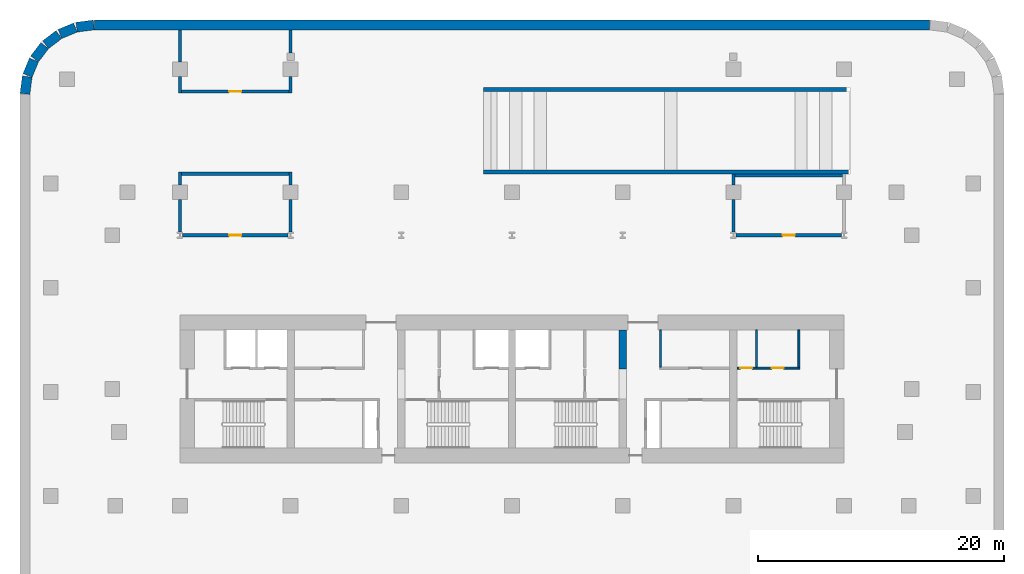
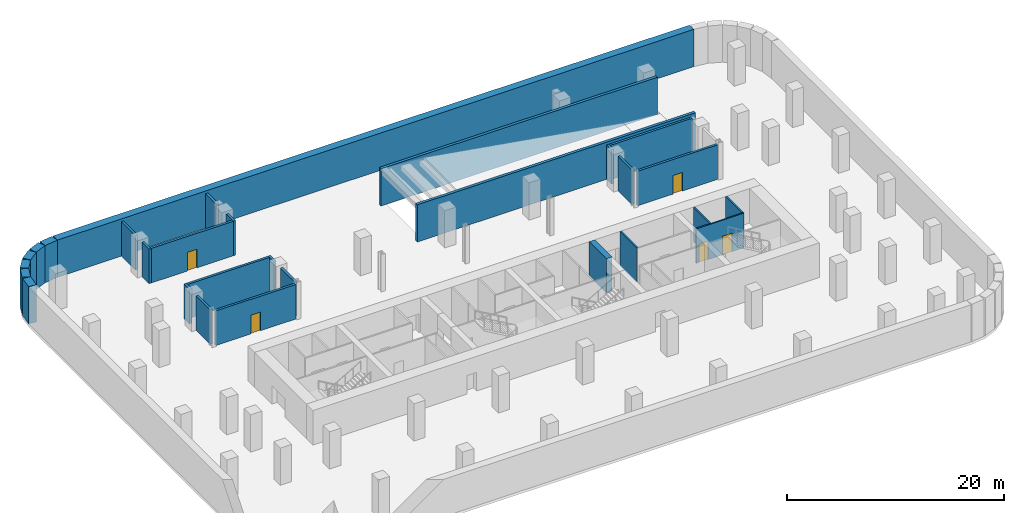
# One storey, part 3 of 5: 29 walls, 5 doors, 5 openings.
"""IFC4 building model written with IfcOpenShell, lengths in metres."""

from ifc_helpers import new_model, si_unit, direction, frame, frame_2d, origin, place, context, subcontext, project, spatial, rectangle, extrude, material, layer, layer_set, type_object, element, fill, save


model = new_model("IFC4")

# Units and contexts
model_context = context("Model", 3, precision=1e-05, world=origin(), true_north=direction((0.0, 1.0)))
body_context = subcontext(model_context, "Body", "Model", "MODEL_VIEW")
ifc_project = project(units=[si_unit("LENGTHUNIT", "METRE"), si_unit("AREAUNIT", "SQUARE_METRE"), si_unit("VOLUMEUNIT", "CUBIC_METRE"), si_unit("PLANEANGLEUNIT", "RADIAN"), si_unit("MASSUNIT", "GRAM", prefix="KILO")], contexts=[model_context])

# Site, building, storey
site_placement = place(None, origin())
site = spatial("IfcSite", under=ifc_project, at=site_placement, CompositionType="ELEMENT")
building_placement = place(site_placement, origin())
building = spatial("IfcBuilding", under=site, at=building_placement, Name="Zellij Exchange Tower", CompositionType="ELEMENT")
storey_placement = place(building_placement, frame((0.0, 0.0, -8.39990234375)))
storey = spatial("IfcBuildingStorey", under=building, at=storey_placement, Name="B2", CompositionType="ELEMENT", Elevation=-8.39990234375)

# Walls
ifc_material_1 = material(Name="Concrete C40/50", Category="concrete")
ifc_layer_1 = layer(ifc_material_1, 0.300048828125)
ifc_layer_set_1 = layer_set([ifc_layer_1], Name="Concrete C40/50")
wall_type_1 = type_object("IfcWallType", Name="BSM-Ramp wall 300", PredefinedType="SOLIDWALL", material=ifc_layer_set_1)
wall_1_placement = place(storey_placement, frame((-2.304931640625, 9.64990234375, 0.0), z_axis=(0.0, 0.0, 1.0), x_axis=(1.0, 0.0, 0.0)))
element("IfcWall", 1, at=wall_1_placement, inside=storey, type_object=wall_type_1, Name="Car park ramp side wall", PredefinedType="SOLIDWALL", context=body_context, shape_type="SweptSolid", body=[
    extrude(rectangle(XDim=29.679931640625, YDim=0.300048828125, at=frame_2d((14.83984375, 0.0))), origin(), (0.0, 0.0, 1.0), 4.199951171875),
])
wall_2_placement = place(storey_placement, frame((-2.304931640625, 16.35009765625, 0.0), z_axis=(0.0, 0.0, 1.0), x_axis=(1.0, 0.0, 0.0)))
element("IfcWall", 2, at=wall_2_placement, inside=storey, type_object=wall_type_1, Name="Car park ramp side wall", PredefinedType="SOLIDWALL", context=body_context, shape_type="SweptSolid", body=[
    extrude(rectangle(XDim=29.5048828125, YDim=0.300048828125, at=frame_2d((14.75244140625, 0.0))), origin(), (0.0, 0.0, 1.0), 4.199951171875),
])

# Wall, opening, door
ifc_material_2 = material(Name="Concrete C32/40", Category="concrete")
ifc_layer_2 = layer(ifc_material_2, 0.25)
ifc_layer_set_2 = layer_set([ifc_layer_2], Name="Concrete C32/40")
wall_type_2 = type_object("IfcWallType", Name="BSM-Wall 250", PredefinedType="SOLIDWALL", material=ifc_layer_set_2)
wall_3_placement = place(storey_placement, frame((-26.772705078125, 4.5, 0.0), z_axis=(0.0, 0.0, 1.0), x_axis=(1.0, 0.0, 0.0)))
wall_3 = element("IfcWall", 3, at=wall_3_placement, inside=storey, type_object=wall_type_2, Name="Partition 1", PredefinedType="SOLIDWALL", context=body_context, shape_type="SweptSolid", body=[
    extrude(rectangle(XDim=8.54541015625, YDim=0.25, at=frame_2d((4.272705078125, 0.0))), origin(), (0.0, 0.0, 1.0), 3.89990234375),
])
opening_1_placement = place(wall_3_placement, frame((3.772705078125, 0.0, 0.0)))
opening_1 = element("IfcOpeningElement", 4, at=opening_1_placement, cuts=wall_3, Name="Opening BS2.01", PredefinedType="OPENING", context=body_context, shape_type="SweptSolid", body=[
    extrude(rectangle(XDim=1.0, YDim=2.10009765625, at=frame_2d((0.5, 1.050048828125))), frame((0.0, 0.136962890625, 0.0), z_axis=(0.0, -1.0, 0.0), x_axis=(1.0, 0.0, 0.0)), (0.0, 0.0, 1.0), 0.27392578125),
])
ifc_material_3 = material(Name="Painted steel door leaf", Category="steel")
door_type_1 = type_object("IfcDoorType", Name="BSM-Door 1000x2100 FD90", OperationType="SINGLE_SWING_LEFT", PredefinedType="DOOR", material=ifc_material_3)
door_1_placement = place(opening_1_placement, origin())
door_1 = element("IfcDoor", 5, at=door_1_placement, inside=storey, type_object=door_type_1, Name="bsm.B2.door.BS2.01", OperationType="SINGLE_SWING_LEFT", OverallHeight=2.10009765625, OverallWidth=1.0, PredefinedType="DOOR", context=body_context, shape_type="SweptSolid", body=[
    extrude(rectangle(XDim=1.0, YDim=2.10009765625, at=frame_2d((0.5, 1.050048828125))), frame((0.0, 0.02490234375, 0.0), z_axis=(0.0, -1.0, 0.0), x_axis=(1.0, 0.0, 0.0)), (0.0, 0.0, 1.0), 0.050048828125),
])
fill(opening_1, door_1)

wall_4_placement = place(storey_placement, frame((18.227294921875, 4.5, 0.0), z_axis=(0.0, 0.0, 1.0), x_axis=(1.0, 0.0, 0.0)))
wall_4 = element("IfcWall", 6, at=wall_4_placement, inside=storey, type_object=wall_type_2, Name="Partition 2", PredefinedType="SOLIDWALL", context=body_context, shape_type="SweptSolid", body=[
    extrude(rectangle(XDim=8.54541015625, YDim=0.25, at=frame_2d((4.272705078125, 0.0))), origin(), (0.0, 0.0, 1.0), 3.89990234375),
])
opening_2_placement = place(wall_4_placement, frame((3.772705078125, 0.0, 0.0)))
opening_2 = element("IfcOpeningElement", 7, at=opening_2_placement, cuts=wall_4, Name="Opening BS2.02", PredefinedType="OPENING", context=body_context, shape_type="SweptSolid", body=[
    extrude(rectangle(XDim=1.0, YDim=2.10009765625, at=frame_2d((0.5, 1.050048828125))), frame((0.0, 0.136962890625, 0.0), z_axis=(0.0, -1.0, 0.0), x_axis=(1.0, 0.0, 0.0)), (0.0, 0.0, 1.0), 0.27392578125),
])
door_2_placement = place(opening_2_placement, origin())
door_2 = element("IfcDoor", 8, at=door_2_placement, inside=storey, type_object=door_type_1, Name="bsm.B2.door.BS2.02", OperationType="SINGLE_SWING_LEFT", OverallHeight=2.10009765625, OverallWidth=1.0, PredefinedType="DOOR", context=body_context, shape_type="SweptSolid", body=[
    extrude(rectangle(XDim=1.0, YDim=2.10009765625, at=frame_2d((0.5, 1.050048828125))), frame((0.0, 0.02490234375, 0.0), z_axis=(0.0, -1.0, 0.0), x_axis=(1.0, 0.0, 0.0)), (0.0, 0.0, 1.0), 0.050048828125),
])
fill(opening_2, door_2)

# Walls
for number, where, z_axis, x_axis, name in (
    (9, (18.125, 9.375, 0.0), (0.0, 0.0, 1.0), (1.0, 0.0, 0.0), "Partition 3"),
    (10, (-26.875, 9.5, 0.0), (0.0, 0.0, 1.0), (1.0, 0.0, 0.0), "Partition 4"),
):
    element("IfcWall", number, at=place(storey_placement, frame(where, z_axis=z_axis, x_axis=x_axis)), inside=storey, type_object=wall_type_2, Name=name, PredefinedType="SOLIDWALL", context=body_context, shape_type="SweptSolid", body=[
        extrude(rectangle(XDim=8.75, YDim=0.25, at=frame_2d((4.375, 0.0))), origin(), (0.0, 0.0, 1.0), 3.89990234375),
    ])

# Wall, opening, door
wall_5_placement = place(storey_placement, frame((-26.875, 16.199951171875, 0.0), z_axis=(0.0, 0.0, 1.0), x_axis=(1.0, 0.0, 0.0)))
wall_5 = element("IfcWall", 11, at=wall_5_placement, inside=storey, type_object=wall_type_2, Name="Partition 5", PredefinedType="SOLIDWALL", context=body_context, shape_type="SweptSolid", body=[
    extrude(rectangle(XDim=8.75, YDim=0.25, at=frame_2d((4.375, 0.0))), origin(), (0.0, 0.0, 1.0), 3.89990234375),
])
opening_3_placement = place(wall_5_placement, frame((3.875, 0.0, 0.0)))
opening_3 = element("IfcOpeningElement", 12, at=opening_3_placement, cuts=wall_5, Name="Opening BS2.03", PredefinedType="OPENING", context=body_context, shape_type="SweptSolid", body=[
    extrude(rectangle(XDim=1.0, YDim=2.10009765625, at=frame_2d((0.5, 1.050048828125))), frame((0.0, 0.136962890625, 0.0), z_axis=(0.0, -1.0, 0.0), x_axis=(1.0, 0.0, 0.0)), (0.0, 0.0, 1.0), 0.27392578125),
])
door_3_placement = place(opening_3_placement, origin())
door_3 = element("IfcDoor", 13, at=door_3_placement, inside=storey, type_object=door_type_1, Name="bsm.B2.door.BS2.03", OperationType="SINGLE_SWING_LEFT", OverallHeight=2.10009765625, OverallWidth=1.0, PredefinedType="DOOR", context=body_context, shape_type="SweptSolid", body=[
    extrude(rectangle(XDim=1.0, YDim=2.10009765625, at=frame_2d((0.5, 1.050048828125))), frame((0.0, 0.02490234375, 0.0), z_axis=(0.0, -1.0, 0.0), x_axis=(1.0, 0.0, 0.0)), (0.0, 0.0, 1.0), 0.050048828125),
])
fill(opening_3, door_3)

# Walls
wall_6_placement = place(storey_placement, frame((-27.0, 4.784423828125, 0.0), z_axis=(0.0, 0.0, 1.0), x_axis=(0.0, 1.0, 0.0)))
element("IfcWall", 14, at=wall_6_placement, inside=storey, type_object=wall_type_2, Name="Partition 6", PredefinedType="SOLIDWALL", context=body_context, shape_type="SweptSolid", body=[
    extrude(rectangle(XDim=2.615478515625, YDim=0.25, at=frame_2d((1.3076171875, 0.0))), origin(), (0.0, 0.0, 1.0), 3.89990234375),
])
wall_7_placement = place(storey_placement, frame((-27.0, 8.60009765625, 0.0), z_axis=(0.0, 0.0, 1.0), x_axis=(0.0, 1.0, 0.0)))
element("IfcWall", 15, at=wall_7_placement, inside=storey, type_object=wall_type_2, Name="Partition 7", PredefinedType="SOLIDWALL", context=body_context, shape_type="SweptSolid", body=[
    extrude(rectangle(XDim=1.02490234375, YDim=0.25, at=frame_2d((0.512451171875, 0.0))), origin(), (0.0, 0.0, 1.0), 3.89990234375),
])
wall_8_placement = place(storey_placement, frame((-27.0, 16.074951171875, 0.0), z_axis=(0.0, 0.0, 1.0), x_axis=(0.0, 1.0, 0.0)))
element("IfcWall", 16, at=wall_8_placement, inside=storey, type_object=wall_type_2, Name="Partition 8", PredefinedType="SOLIDWALL", context=body_context, shape_type="SweptSolid", body=[
    extrude(rectangle(XDim=1.324951171875, YDim=0.25, at=frame_2d((0.66259765625, 0.0))), origin(), (0.0, 0.0, 1.0), 3.89990234375),
])
wall_9_placement = place(storey_placement, frame((-27.0, 18.60009765625, 0.0), z_axis=(0.0, 0.0, 1.0), x_axis=(0.0, 1.0, 0.0)))
element("IfcWall", 17, at=wall_9_placement, inside=storey, type_object=wall_type_2, Name="Partition 9", PredefinedType="SOLIDWALL", context=body_context, shape_type="SweptSolid", body=[
    extrude(rectangle(XDim=2.599853515625, YDim=0.25, at=frame_2d((1.2998046875, 0.0))), origin(), (0.0, 0.0, 1.0), 3.89990234375),
])
wall_10_placement = place(storey_placement, frame((-18.0, 4.784423828125, 0.0), z_axis=(0.0, 0.0, 1.0), x_axis=(0.0, 1.0, 0.0)))
element("IfcWall", 18, at=wall_10_placement, inside=storey, type_object=wall_type_2, Name="Partition 10", PredefinedType="SOLIDWALL", context=body_context, shape_type="SweptSolid", body=[
    extrude(rectangle(XDim=2.615478515625, YDim=0.25, at=frame_2d((1.3076171875, 0.0))), origin(), (0.0, 0.0, 1.0), 3.89990234375),
])
wall_11_placement = place(storey_placement, frame((-18.0, 8.60009765625, 0.0), z_axis=(0.0, 0.0, 1.0), x_axis=(0.0, 1.0, 0.0)))
element("IfcWall", 19, at=wall_11_placement, inside=storey, type_object=wall_type_2, Name="Partition 11", PredefinedType="SOLIDWALL", context=body_context, shape_type="SweptSolid", body=[
    extrude(rectangle(XDim=1.02490234375, YDim=0.25, at=frame_2d((0.512451171875, 0.0))), origin(), (0.0, 0.0, 1.0), 3.89990234375),
])
wall_12_placement = place(storey_placement, frame((-18.0, 16.074951171875, 0.0), z_axis=(0.0, 0.0, 1.0), x_axis=(0.0, 1.0, 0.0)))
element("IfcWall", 20, at=wall_12_placement, inside=storey, type_object=wall_type_2, Name="Partition 12", PredefinedType="SOLIDWALL", context=body_context, shape_type="SweptSolid", body=[
    extrude(rectangle(XDim=1.324951171875, YDim=0.25, at=frame_2d((0.66259765625, 0.0))), origin(), (0.0, 0.0, 1.0), 3.89990234375),
])
wall_13_placement = place(storey_placement, frame((-18.0, 19.300048828125, 0.0), z_axis=(0.0, 0.0, 1.0), x_axis=(0.0, 1.0, 0.0)))
element("IfcWall", 21, at=wall_13_placement, inside=storey, type_object=wall_type_2, Name="Partition 13", PredefinedType="SOLIDWALL", context=body_context, shape_type="SweptSolid", body=[
    extrude(rectangle(XDim=1.89990234375, YDim=0.25, at=frame_2d((0.949951171875, 0.0))), origin(), (0.0, 0.0, 1.0), 3.89990234375),
])
wall_14_placement = place(storey_placement, frame((18.0, 4.784423828125, 0.0), z_axis=(0.0, 0.0, 1.0), x_axis=(0.0, 1.0, 0.0)))
element("IfcWall", 22, at=wall_14_placement, inside=storey, type_object=wall_type_2, Name="Partition 14", PredefinedType="SOLIDWALL", context=body_context, shape_type="SweptSolid", body=[
    extrude(rectangle(XDim=2.615478515625, YDim=0.25, at=frame_2d((1.3076171875, 0.0))), origin(), (0.0, 0.0, 1.0), 3.89990234375),
])
wall_15_placement = place(storey_placement, frame((18.0, 8.60009765625, 0.0), z_axis=(0.0, 0.0, 1.0), x_axis=(0.0, 1.0, 0.0)))
element("IfcWall", 23, at=wall_15_placement, inside=storey, type_object=wall_type_2, Name="Partition 15", PredefinedType="SOLIDWALL", context=body_context, shape_type="SweptSolid", body=[
    extrude(rectangle(XDim=0.89990234375, YDim=0.25, at=frame_2d((0.449951171875, 0.0))), origin(), (0.0, 0.0, 1.0), 3.89990234375),
])
ifc_material_4 = material(Name="Concrete C70/85", Category="concrete")
ifc_layer_3 = layer(ifc_material_4, 0.60009765625)
ifc_layer_set_3 = layer_set([ifc_layer_3], Name="Concrete C70/85")
wall_type_3 = type_object("IfcWallType", Name="CORE-CW 600 C70/85", PredefinedType="SHEAR", material=ifc_layer_set_3)
wall_16_placement = place(storey_placement, frame((9.0, -6.375, 0.0), z_axis=(0.0, 0.0, 1.0), x_axis=(0.0, 1.0, 0.0)))
element("IfcWall", 24, at=wall_16_placement, inside=storey, type_object=wall_type_3, Name="Core cross wall pier x 9 b B2", PredefinedType="SHEAR", context=body_context, shape_type="SweptSolid", body=[
    extrude(rectangle(XDim=3.175048828125, YDim=0.60009765625, at=frame_2d((1.58740234375, 0.0))), origin(), (0.0, 0.0, 1.0), 3.89990234375),
])
ifc_material_5 = material(Name="Gypsum shaft wall system")
ifc_layer_4 = layer(ifc_material_5, 0.14990234375)
ifc_layer_set_4 = layer_set([ifc_layer_4], Name="Gypsum shaft wall system")
wall_type_4 = type_object("IfcWallType", Name="CORE-PW 150 Plant room wall", PredefinedType="PARTITIONING", material=ifc_layer_set_4)
for number, where, z_axis, x_axis, name in (
    (25, (12.074951171875, -6.22509765625, 0.0), (0.0, 0.0, 1.0), (0.0, 1.0, 0.0), "Plant room wall B2"),
    (26, (19.875, -6.22509765625, 0.0), (0.0, 0.0, 1.0), (0.0, 1.0, 0.0), "Plant room wall B2"),
    (27, (23.324951171875, -6.22509765625, 0.0), (0.0, 0.0, 1.0), (0.0, 1.0, 0.0), "Plant room wall B2"),
):
    element("IfcWall", number, at=place(storey_placement, frame(where, z_axis=z_axis, x_axis=x_axis)), inside=storey, type_object=wall_type_4, Name=name, PredefinedType="PARTITIONING", context=body_context, shape_type="SweptSolid", body=[
        extrude(rectangle(XDim=3.025146484375, YDim=0.14990234375, at=frame_2d((1.5126953125, 0.0))), origin(), (0.0, 0.0, 1.0), 3.89990234375),
    ])

# Wall, openings, doors
wall_17_placement = place(storey_placement, frame((18.300048828125, -6.300048828125, 0.0), z_axis=(0.0, 0.0, 1.0), x_axis=(1.0, 0.0, 0.0)))
wall_17 = element("IfcWall", 28, at=wall_17_placement, inside=storey, type_object=wall_type_4, Name="Plant room wall B2", PredefinedType="PARTITIONING", context=body_context, shape_type="SweptSolid", body=[
    extrude(rectangle(XDim=5.099853515625, YDim=0.14990234375, at=frame_2d((2.5498046875, 0.0))), origin(), (0.0, 0.0, 1.0), 3.89990234375),
])
opening_4_placement = place(wall_17_placement, frame((0.25, 0.0, 0.0)))
opening_4 = element("IfcOpeningElement", 29, at=opening_4_placement, cuts=wall_17, Name="Opening CA-01.21", PredefinedType="OPENING", context=body_context, shape_type="SweptSolid", body=[
    extrude(rectangle(XDim=1.0, YDim=2.10009765625, at=frame_2d((0.5, 1.050048828125))), frame((0.0, 0.0869140625, 0.0), z_axis=(0.0, -1.0, 0.0), x_axis=(1.0, 0.0, 0.0)), (0.0, 0.0, 1.0), 0.173828125),
])
opening_5_placement = place(wall_17_placement, frame((2.800048828125, 0.0, 0.0)))
opening_5 = element("IfcOpeningElement", 30, at=opening_5_placement, cuts=wall_17, Name="Opening CA-01.23", PredefinedType="OPENING", context=body_context, shape_type="SweptSolid", body=[
    extrude(rectangle(XDim=1.0, YDim=2.10009765625, at=frame_2d((0.5, 1.050048828125))), frame((0.0, 0.0869140625, 0.0), z_axis=(0.0, -1.0, 0.0), x_axis=(1.0, 0.0, 0.0)), (0.0, 0.0, 1.0), 0.173828125),
])
ifc_material_6 = material(Name="Hollow metal fire door")
door_type_2 = type_object("IfcDoorType", Name="CORE-D CDA Core room door 1000x2100 1.5 HR", OperationType="NOTDEFINED", PredefinedType="DOOR", material=ifc_material_6)
door_4_placement = place(opening_4_placement, origin())
door_4 = element("IfcDoor", 31, at=door_4_placement, inside=storey, type_object=door_type_2, Name="Core room door CA-01.21", OperationType="SINGLE_SWING_LEFT", OverallHeight=2.10009765625, OverallWidth=1.0, PredefinedType="DOOR", context=body_context, shape_type="SweptSolid", body=[
    extrude(rectangle(XDim=1.0, YDim=2.10009765625, at=frame_2d((0.5, 1.050048828125))), frame((0.0, 0.02490234375, 0.0), z_axis=(0.0, -1.0, 0.0), x_axis=(1.0, 0.0, 0.0)), (0.0, 0.0, 1.0), 0.050048828125),
])
fill(opening_4, door_4)
door_5_placement = place(opening_5_placement, origin())
door_5 = element("IfcDoor", 32, at=door_5_placement, inside=storey, type_object=door_type_2, Name="Core room door CA-01.23", OperationType="SINGLE_SWING_RIGHT", OverallHeight=2.10009765625, OverallWidth=1.0, PredefinedType="DOOR", context=body_context, shape_type="SweptSolid", body=[
    extrude(rectangle(XDim=1.0, YDim=2.10009765625, at=frame_2d((0.5, 1.050048828125))), frame((0.0, 0.02490234375, 0.0), z_axis=(0.0, -1.0, 0.0), x_axis=(1.0, 0.0, 0.0)), (0.0, 0.0, 1.0), 0.050048828125),
])
fill(opening_5, door_5)

# Walls
ifc_layer_5 = layer(ifc_material_1, 0.800048828125)
ifc_layer_set_5 = layer_set([ifc_layer_5], Name="Concrete C40/50")
wall_type_5 = type_object("IfcWallType", Name="STR-RETAINING WALL 800 C40/50", PredefinedType="SOLIDWALL", material=ifc_layer_set_5)
wall_18_placement = place(storey_placement, frame((-39.5966796875, 15.999755859375, 0.0), z_axis=(0.0, 0.0, 1.0), x_axis=(0.130517283865, 0.99144603414, 0.0)))
element("IfcWall", 33, at=wall_18_placement, inside=storey, type_object=wall_type_5, Name="Retaining wall B2", PredefinedType="SOLIDWALL", context=body_context, shape_type="SweptSolid", body=[
    extrude(rectangle(XDim=1.408447265625, YDim=0.800048828125, at=frame_2d((0.7041015625, 0.0))), origin(), (0.0, 0.0, 1.0), 4.199951171875),
])
for number, where, z_axis, x_axis, name in (
    (34, (-39.3857421875, 17.497314453125, 0.0), (0.0, 0.0, 1.0), (0.38276009378, 0.923847774587, 0.0), "Retaining wall B2"),
    (35, (-38.814697265625, 18.840087890625, 0.0), (0.0, 0.0, 1.0), (0.608752883708, 0.793359897258, 0.0), "Retaining wall B2"),
    (36, (-37.91552734375, 19.989501953125, 0.0), (0.0, 0.0, 1.0), (0.793359897258, 0.608752883708, 0.0), "Retaining wall B2"),
    (37, (-36.74951171875, 20.866943359375, 0.0), (0.0, 0.0, 1.0), (0.923847774587, 0.38276009378, 0.0), "Retaining wall B2"),
):
    element("IfcWall", number, at=place(storey_placement, frame(where, z_axis=z_axis, x_axis=x_axis)), inside=storey, type_object=wall_type_5, Name=name, PredefinedType="SOLIDWALL", context=body_context, shape_type="SweptSolid", body=[
        extrude(rectangle(XDim=1.35546875, YDim=0.800048828125, at=frame_2d((0.677734375, 0.0))), origin(), (0.0, 0.0, 1.0), 4.199951171875),
    ])
wall_19_placement = place(storey_placement, frame((-35.396240234375, 21.412841796875, 0.0), z_axis=(0.0, 0.0, 1.0), x_axis=(0.99144603414, 0.130517283865, 0.0)))
element("IfcWall", 38, at=wall_19_placement, inside=storey, type_object=wall_type_5, Name="Retaining wall B2", PredefinedType="SOLIDWALL", context=body_context, shape_type="SweptSolid", body=[
    extrude(rectangle(XDim=1.408447265625, YDim=0.800048828125, at=frame_2d((0.7041015625, 0.0))), origin(), (0.0, 0.0, 1.0), 4.199951171875),
])
wall_20_placement = place(storey_placement, frame((-33.947509765625, 21.60009765625, 0.0), z_axis=(0.0, 0.0, 1.0), x_axis=(1.0, 0.0, 0.0)))
element("IfcWall", 39, at=wall_20_placement, inside=storey, type_object=wall_type_5, Name="Retaining wall B2", PredefinedType="SOLIDWALL", context=body_context, shape_type="SweptSolid", body=[
    extrude(rectangle(XDim=67.89501953125, YDim=0.800048828125, at=frame_2d((33.947509765625, 0.0))), origin(), (0.0, 0.0, 1.0), 4.199951171875),
])

save(model, "model.ifc")
